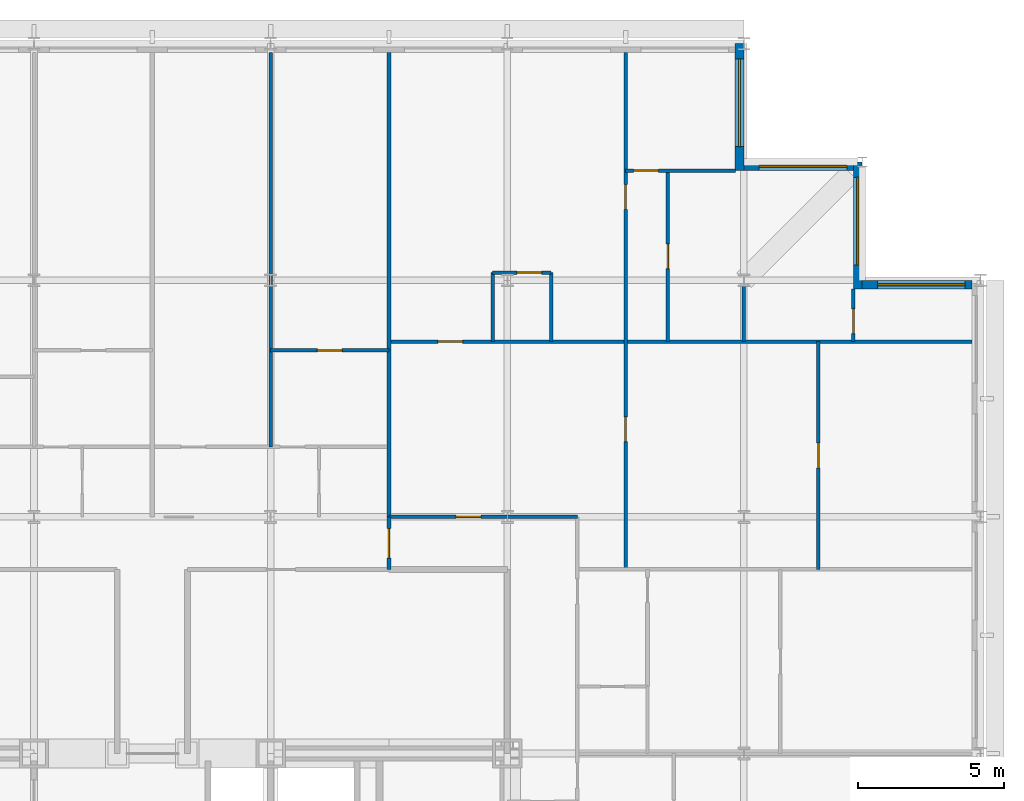
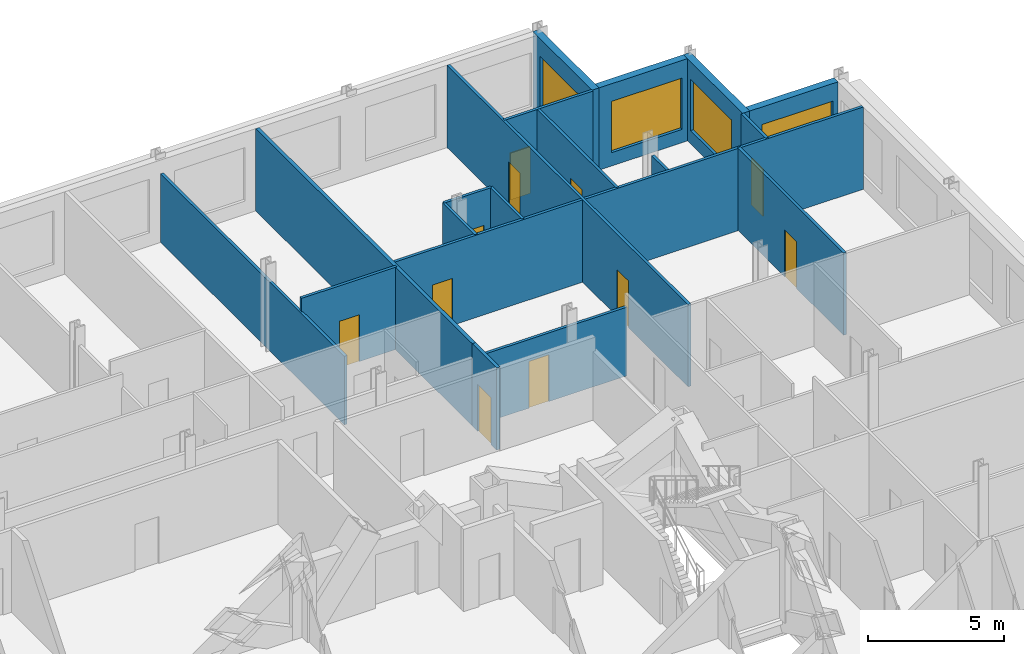
# One storey, part 13 of 15: 19 walls, 11 doors, 4 windows, 15 openings.
"""IFC4 building model written with IfcOpenShell, lengths in metres."""

from ifc_helpers import new_model, si_unit, direction, frame, frame_2d, origin, place, context, subcontext, project, spatial, rectangle, extrude, material, layer, layer_set, type_object, element, fill, save


model = new_model("IFC4")

# Units and contexts
model_context = context("Model", 3, precision=1e-05, world=origin(), true_north=direction((0.0, 1.0)))
body_context = subcontext(model_context, "Body", "Model", "MODEL_VIEW")
ifc_project = project(units=[si_unit("LENGTHUNIT", "METRE"), si_unit("AREAUNIT", "SQUARE_METRE"), si_unit("VOLUMEUNIT", "CUBIC_METRE"), si_unit("PLANEANGLEUNIT", "RADIAN"), si_unit("MASSUNIT", "GRAM", prefix="KILO")], contexts=[model_context])

# Site, building, storey
site_placement = place(None, origin())
site = spatial("IfcSite", under=ifc_project, at=site_placement, CompositionType="ELEMENT")
building_placement = place(site_placement, origin())
building = spatial("IfcBuilding", under=site, at=building_placement, Name="Kopane Lantern Tower", CompositionType="ELEMENT")
storey_placement = place(building_placement, frame((0.0, 0.0, 289.199951171875)))
storey = spatial("IfcBuildingStorey", under=building, at=storey_placement, Name="L74", CompositionType="ELEMENT", Elevation=289.199951171875)

# Wall
ifc_material_1 = material(Name="Gypsum board on steel studs", Category="steel")
ifc_layer_1 = layer(ifc_material_1, 0.1201171875)
ifc_layer_set_1 = layer_set([ifc_layer_1], Name="APARTMENT INTERNAL WALL 120")
wall_type_1 = type_object("IfcWallType", Name="APARTMENT INTERNAL WALL 120", PredefinedType="PARTITIONING", material=ifc_layer_set_1)
wall_1_placement = place(storey_placement, frame((32.39990234375, 51.0, 0.0), z_axis=(0.0, 0.0, 1.0), x_axis=(0.0, 1.0, 0.0)))
element("IfcWall", 1, at=wall_1_placement, inside=storey, type_object=wall_type_1, Name="Apartment Internal Wall 120 L74", PredefinedType="PARTITIONING", context=body_context, shape_type="SweptSolid", body=[
    extrude(rectangle(XDim=13.5, YDim=0.1201171875, at=frame_2d((6.75, 0.0))), origin(), (0.0, 0.0, 1.0), 3.077880859375),
])

# Wall, opening, door
wall_2_placement = place(storey_placement, frame((36.449951171875, 48.60009765625, 0.0), z_axis=(0.0, 0.0, 1.0), x_axis=(1.0, 0.0, 0.0)))
wall_2 = element("IfcWall", 2, at=wall_2_placement, inside=storey, type_object=wall_type_1, Name="Apartment Internal Wall 120 L74", PredefinedType="PARTITIONING", context=body_context, shape_type="SweptSolid", body=[
    extrude(rectangle(XDim=6.449951171875, YDim=0.1201171875, at=frame_2d((3.22509765625, 0.0))), origin(), (0.0, 0.0, 1.0), 3.077880859375),
])
opening_1_placement = place(wall_2_placement, frame((2.300048828125, 0.0, 0.0)))
opening_1 = element("IfcOpeningElement", 3, at=opening_1_placement, cuts=wall_2, Name="Opening L74-047", PredefinedType="OPENING", context=body_context, shape_type="SweptSolid", body=[
    extrude(rectangle(XDim=0.85009765625, YDim=2.10009765625, at=frame_2d((0.425048828125, 1.050048828125))), frame((0.0, 0.070068359375, 0.0), z_axis=(0.0, -1.0, 0.0), x_axis=(1.0, 0.0, 0.0)), (0.0, 0.0, 1.0), 0.14013671875),
])
ifc_material_2 = material(Name="Timber door set", Category="wood")
door_type_1 = type_object("IfcDoorType", Name="DOOR D4 850x2100", OperationType="SINGLE_SWING_LEFT", PredefinedType="DOOR", material=ifc_material_2)
door_1_placement = place(opening_1_placement, origin())
door_1 = element("IfcDoor", 4, at=door_1_placement, inside=storey, type_object=door_type_1, Name="Door L74-047", OperationType="SINGLE_SWING_LEFT", OverallHeight=2.10009765625, OverallWidth=0.85009765625, PredefinedType="DOOR", context=body_context, shape_type="SweptSolid", body=[
    extrude(rectangle(XDim=0.85009765625, YDim=2.10009765625, at=frame_2d((0.425048828125, 1.050048828125))), frame((0.0, 0.02490234375, 0.0), z_axis=(0.0, -1.0, 0.0), x_axis=(1.0, 0.0, 0.0)), (0.0, 0.0, 1.0), 0.050048828125),
])
fill(opening_1, door_1)

wall_3_placement = place(storey_placement, frame((36.449951171875, 54.60009765625, 0.0), z_axis=(0.0, 0.0, 1.0), x_axis=(1.0, 0.0, 0.0)))
wall_3 = element("IfcWall", 5, at=wall_3_placement, inside=storey, type_object=wall_type_1, Name="Apartment Internal Wall 120 L74", PredefinedType="PARTITIONING", context=body_context, shape_type="SweptSolid", body=[
    extrude(rectangle(XDim=19.949951171875, YDim=0.1201171875, at=frame_2d((9.97509765625, 0.0))), origin(), (0.0, 0.0, 1.0), 3.68994140625),
])
opening_2_placement = place(wall_3_placement, frame((1.675048828125, 0.0, 0.0)))
opening_2 = element("IfcOpeningElement", 6, at=opening_2_placement, cuts=wall_3, Name="Opening L74-048", PredefinedType="OPENING", context=body_context, shape_type="SweptSolid", body=[
    extrude(rectangle(XDim=0.85009765625, YDim=2.10009765625, at=frame_2d((0.425048828125, 1.050048828125))), frame((0.0, 0.070068359375, 0.0), z_axis=(0.0, -1.0, 0.0), x_axis=(1.0, 0.0, 0.0)), (0.0, 0.0, 1.0), 0.14013671875),
])
door_2_placement = place(opening_2_placement, origin())
door_2 = element("IfcDoor", 7, at=door_2_placement, inside=storey, type_object=door_type_1, Name="Door L74-048", OperationType="SINGLE_SWING_LEFT", OverallHeight=2.10009765625, OverallWidth=0.85009765625, PredefinedType="DOOR", context=body_context, shape_type="SweptSolid", body=[
    extrude(rectangle(XDim=0.85009765625, YDim=2.10009765625, at=frame_2d((0.425048828125, 1.050048828125))), frame((0.0, 0.02490234375, 0.0), z_axis=(0.0, -1.0, 0.0), x_axis=(1.0, 0.0, 0.0)), (0.0, 0.0, 1.0), 0.050048828125),
])
fill(opening_2, door_2)

# Wall, openings, doors
wall_4_placement = place(storey_placement, frame((44.550048828125, 64.5, 0.0), z_axis=(0.0, 0.0, 1.0), x_axis=(0.0, -1.0, 0.0)))
wall_4 = element("IfcWall", 8, at=wall_4_placement, inside=storey, type_object=wall_type_1, Name="Apartment Internal Wall 120 L74", PredefinedType="PARTITIONING", context=body_context, shape_type="SweptSolid", body=[
    extrude(rectangle(XDim=17.699951171875, YDim=0.1201171875, at=frame_2d((8.85009765625, 0.0))), origin(), (0.0, 0.0, 1.0), 3.68994140625),
])
opening_3_placement = place(wall_4_placement, frame((12.47509765625, 0.0, 0.0)))
opening_3 = element("IfcOpeningElement", 9, at=opening_3_placement, cuts=wall_4, Name="Opening L74-049", PredefinedType="OPENING", context=body_context, shape_type="SweptSolid", body=[
    extrude(rectangle(XDim=0.85009765625, YDim=2.10009765625, at=frame_2d((0.425048828125, 1.050048828125))), frame((0.0, 0.070068359375, 0.0), z_axis=(0.0, -1.0, 0.0), x_axis=(1.0, 0.0, 0.0)), (0.0, 0.0, 1.0), 0.14013671875),
])
opening_4_placement = place(wall_4_placement, frame((4.52490234375, 0.0, 0.0)))
opening_4 = element("IfcOpeningElement", 10, at=opening_4_placement, cuts=wall_4, Name="Opening L74-050", PredefinedType="OPENING", context=body_context, shape_type="SweptSolid", body=[
    extrude(rectangle(XDim=0.85009765625, YDim=2.10009765625, at=frame_2d((0.425048828125, 1.050048828125))), frame((0.0, 0.070068359375, 0.0), z_axis=(0.0, -1.0, 0.0), x_axis=(1.0, 0.0, 0.0)), (0.0, 0.0, 1.0), 0.14013671875),
])
door_3_placement = place(opening_3_placement, origin())
door_3 = element("IfcDoor", 11, at=door_3_placement, inside=storey, type_object=door_type_1, Name="Door L74-049", OperationType="SINGLE_SWING_LEFT", OverallHeight=2.10009765625, OverallWidth=0.85009765625, PredefinedType="DOOR", context=body_context, shape_type="SweptSolid", body=[
    extrude(rectangle(XDim=0.85009765625, YDim=2.10009765625, at=frame_2d((0.425048828125, 1.050048828125))), frame((0.0, 0.02490234375, 0.0), z_axis=(0.0, -1.0, 0.0), x_axis=(1.0, 0.0, 0.0)), (0.0, 0.0, 1.0), 0.050048828125),
])
fill(opening_3, door_3)
door_4_placement = place(opening_4_placement, origin())
door_4 = element("IfcDoor", 12, at=door_4_placement, inside=storey, type_object=door_type_1, Name="Door L74-050", OperationType="SINGLE_SWING_LEFT", OverallHeight=2.10009765625, OverallWidth=0.85009765625, PredefinedType="DOOR", context=body_context, shape_type="SweptSolid", body=[
    extrude(rectangle(XDim=0.85009765625, YDim=2.10009765625, at=frame_2d((0.425048828125, 1.050048828125))), frame((0.0, 0.02490234375, 0.0), z_axis=(0.0, -1.0, 0.0), x_axis=(1.0, 0.0, 0.0)), (0.0, 0.0, 1.0), 0.050048828125),
])
fill(opening_4, door_4)

# Wall, opening, door
wall_5_placement = place(storey_placement, frame((52.35009765625, 54.60009765625, 0.0), z_axis=(0.0, 0.0, 1.0), x_axis=(0.0, 1.0, 0.0)))
wall_5 = element("IfcWall", 13, at=wall_5_placement, inside=storey, type_object=wall_type_1, Name="Apartment Internal Wall 120 L74", PredefinedType="PARTITIONING", context=body_context, shape_type="SweptSolid", body=[
    extrude(rectangle(XDim=1.7998046875, YDim=0.1201171875, at=frame_2d((0.89990234375, 0.0))), origin(), (0.0, 0.0, 1.0), 3.68994140625),
])
opening_5_placement = place(wall_5_placement, frame((0.27490234375, 0.0, 0.0)))
opening_5 = element("IfcOpeningElement", 14, at=opening_5_placement, cuts=wall_5, Name="Opening L74-057", PredefinedType="OPENING", context=body_context, shape_type="SweptSolid", body=[
    extrude(rectangle(XDim=0.85009765625, YDim=2.10009765625, at=frame_2d((0.425048828125, 1.050048828125))), frame((0.0, 0.070068359375, 0.0), z_axis=(0.0, -1.0, 0.0), x_axis=(1.0, 0.0, 0.0)), (0.0, 0.0, 1.0), 0.14013671875),
])
door_5_placement = place(opening_5_placement, origin())
door_5 = element("IfcDoor", 15, at=door_5_placement, inside=storey, type_object=door_type_1, Name="Door L74-057", OperationType="SINGLE_SWING_RIGHT", OverallHeight=2.10009765625, OverallWidth=0.85009765625, PredefinedType="DOOR", context=body_context, shape_type="SweptSolid", body=[
    extrude(rectangle(XDim=0.85009765625, YDim=2.10009765625, at=frame_2d((0.425048828125, 1.050048828125))), frame((0.0, 0.02490234375, 0.0), z_axis=(0.0, -1.0, 0.0), x_axis=(1.0, 0.0, 0.0)), (0.0, 0.0, 1.0), 0.050048828125),
])
fill(opening_5, door_5)

wall_6_placement = place(storey_placement, frame((48.31005859375, 60.449951171875, 0.0), z_axis=(0.0, 0.0, 1.0), x_axis=(-1.0, 0.0, 0.0)))
wall_6 = element("IfcWall", 16, at=wall_6_placement, inside=storey, type_object=wall_type_1, Name="Apartment Internal Wall 120 L74", PredefinedType="PARTITIONING", context=body_context, shape_type="SweptSolid", body=[
    extrude(rectangle(XDim=3.760009765625, YDim=0.1201171875, at=frame_2d((1.8798828125, 0.0))), origin(), (0.0, 0.0, 1.0), 3.68994140625),
])
opening_6_placement = place(wall_6_placement, frame((2.635009765625, 0.0, 0.0)))
opening_6 = element("IfcOpeningElement", 17, at=opening_6_placement, cuts=wall_6, Name="Opening L74-058", PredefinedType="OPENING", context=body_context, shape_type="SweptSolid", body=[
    extrude(rectangle(XDim=0.85009765625, YDim=2.10009765625, at=frame_2d((0.425048828125, 1.050048828125))), frame((0.0, 0.070068359375, 0.0), z_axis=(0.0, -1.0, 0.0), x_axis=(1.0, 0.0, 0.0)), (0.0, 0.0, 1.0), 0.14013671875),
])
door_6_placement = place(opening_6_placement, origin())
door_6 = element("IfcDoor", 18, at=door_6_placement, inside=storey, type_object=door_type_1, Name="Door L74-058", OperationType="SINGLE_SWING_LEFT", OverallHeight=2.10009765625, OverallWidth=0.85009765625, PredefinedType="DOOR", context=body_context, shape_type="SweptSolid", body=[
    extrude(rectangle(XDim=0.85009765625, YDim=2.10009765625, at=frame_2d((0.425048828125, 1.050048828125))), frame((0.0, 0.02490234375, 0.0), z_axis=(0.0, -1.0, 0.0), x_axis=(1.0, 0.0, 0.0)), (0.0, 0.0, 1.0), 0.050048828125),
])
fill(opening_6, door_6)

wall_7_placement = place(storey_placement, frame((32.39990234375, 54.300048828125, 0.0), z_axis=(0.0, 0.0, 1.0), x_axis=(1.0, 0.0, 0.0)))
wall_7 = element("IfcWall", 19, at=wall_7_placement, inside=storey, type_object=wall_type_1, Name="Apartment Internal Wall 120 L74", PredefinedType="PARTITIONING", context=body_context, shape_type="SweptSolid", body=[
    extrude(rectangle(XDim=4.050048828125, YDim=0.1201171875, at=frame_2d((2.02490234375, 0.0))), origin(), (0.0, 0.0, 1.0), 3.68994140625),
])
opening_7_placement = place(wall_7_placement, frame((1.60009765625, 0.0, 0.0)))
opening_7 = element("IfcOpeningElement", 20, at=opening_7_placement, cuts=wall_7, Name="Opening L74-062", PredefinedType="OPENING", context=body_context, shape_type="SweptSolid", body=[
    extrude(rectangle(XDim=0.85009765625, YDim=2.10009765625, at=frame_2d((0.425048828125, 1.050048828125))), frame((0.0, 0.070068359375, 0.0), z_axis=(0.0, -1.0, 0.0), x_axis=(1.0, 0.0, 0.0)), (0.0, 0.0, 1.0), 0.14013671875),
])
door_7_placement = place(opening_7_placement, origin())
door_7 = element("IfcDoor", 21, at=door_7_placement, inside=storey, type_object=door_type_1, Name="Door L74-062", OperationType="SINGLE_SWING_RIGHT", OverallHeight=2.10009765625, OverallWidth=0.85009765625, PredefinedType="DOOR", context=body_context, shape_type="SweptSolid", body=[
    extrude(rectangle(XDim=0.85009765625, YDim=2.10009765625, at=frame_2d((0.425048828125, 1.050048828125))), frame((0.0, 0.02490234375, 0.0), z_axis=(0.0, -1.0, 0.0), x_axis=(1.0, 0.0, 0.0)), (0.0, 0.0, 1.0), 0.050048828125),
])
fill(opening_7, door_7)

wall_8_placement = place(storey_placement, frame((51.14990234375, 46.800048828125, 0.0), z_axis=(0.0, 0.0, 1.0), x_axis=(0.0, 1.0, 0.0)))
wall_8 = element("IfcWall", 22, at=wall_8_placement, inside=storey, type_object=wall_type_1, Name="Apartment Internal Wall 120 L74", PredefinedType="PARTITIONING", context=body_context, shape_type="SweptSolid", body=[
    extrude(rectangle(XDim=7.800048828125, YDim=0.1201171875, at=frame_2d((3.89990234375, 0.0))), origin(), (0.0, 0.0, 1.0), 3.68994140625),
])
opening_8_placement = place(wall_8_placement, frame((3.47509765625, 0.0, 0.0)))
opening_8 = element("IfcOpeningElement", 23, at=opening_8_placement, cuts=wall_8, Name="Opening L74-069", PredefinedType="OPENING", context=body_context, shape_type="SweptSolid", body=[
    extrude(rectangle(XDim=0.85009765625, YDim=2.10009765625, at=frame_2d((0.425048828125, 1.050048828125))), frame((0.0, 0.070068359375, 0.0), z_axis=(0.0, -1.0, 0.0), x_axis=(1.0, 0.0, 0.0)), (0.0, 0.0, 1.0), 0.14013671875),
])
door_8_placement = place(opening_8_placement, origin())
door_8 = element("IfcDoor", 24, at=door_8_placement, inside=storey, type_object=door_type_1, Name="Door L74-069", OperationType="SINGLE_SWING_RIGHT", OverallHeight=2.10009765625, OverallWidth=0.85009765625, PredefinedType="DOOR", context=body_context, shape_type="SweptSolid", body=[
    extrude(rectangle(XDim=0.85009765625, YDim=2.10009765625, at=frame_2d((0.425048828125, 1.050048828125))), frame((0.0, 0.02490234375, 0.0), z_axis=(0.0, -1.0, 0.0), x_axis=(1.0, 0.0, 0.0)), (0.0, 0.0, 1.0), 0.050048828125),
])
fill(opening_8, door_8)

wall_9_placement = place(storey_placement, frame((46.0, 54.60009765625, 0.0), z_axis=(0.0, 0.0, 1.0), x_axis=(0.0, 1.0, 0.0)))
wall_9 = element("IfcWall", 25, at=wall_9_placement, inside=storey, type_object=wall_type_1, Name="Apartment Internal Wall 120 L74", PredefinedType="PARTITIONING", context=body_context, shape_type="SweptSolid", body=[
    extrude(rectangle(XDim=5.849853515625, YDim=0.1201171875, at=frame_2d((2.9248046875, 0.0))), origin(), (0.0, 0.0, 1.0), 3.68994140625),
])
opening_9_placement = place(wall_9_placement, frame((2.5, 0.0, 0.0)))
opening_9 = element("IfcOpeningElement", 26, at=opening_9_placement, cuts=wall_9, Name="Opening L74-070", PredefinedType="OPENING", context=body_context, shape_type="SweptSolid", body=[
    extrude(rectangle(XDim=0.85009765625, YDim=2.10009765625, at=frame_2d((0.425048828125, 1.050048828125))), frame((0.0, 0.070068359375, 0.0), z_axis=(0.0, -1.0, 0.0), x_axis=(1.0, 0.0, 0.0)), (0.0, 0.0, 1.0), 0.14013671875),
])
door_9_placement = place(opening_9_placement, origin())
door_9 = element("IfcDoor", 27, at=door_9_placement, inside=storey, type_object=door_type_1, Name="Door L74-070", OperationType="SINGLE_SWING_LEFT", OverallHeight=2.10009765625, OverallWidth=0.85009765625, PredefinedType="DOOR", context=body_context, shape_type="SweptSolid", body=[
    extrude(rectangle(XDim=0.85009765625, YDim=2.10009765625, at=frame_2d((0.425048828125, 1.050048828125))), frame((0.0, 0.02490234375, 0.0), z_axis=(0.0, -1.0, 0.0), x_axis=(1.0, 0.0, 0.0)), (0.0, 0.0, 1.0), 0.050048828125),
])
fill(opening_9, door_9)

# Walls
for number, where, z_axis, x_axis, name in (
    (28, (39.9970703125, 54.60009765625, 0.0), (0.0, 0.0, 1.0), (0.0, 1.0, 0.0), "Apartment Internal Wall 120 L74"),
    (29, (42.0029296875, 54.60009765625, 0.0), (0.0, 0.0, 1.0), (0.0, 1.0, 0.0), "Apartment Internal Wall 120 L74"),
):
    element("IfcWall", number, at=place(storey_placement, frame(where, z_axis=z_axis, x_axis=x_axis)), inside=storey, type_object=wall_type_1, Name=name, PredefinedType="PARTITIONING", context=body_context, shape_type="SweptSolid", body=[
        extrude(rectangle(XDim=2.36279296875, YDim=0.1201171875, at=frame_2d((1.181396484375, 0.0))), origin(), (0.0, 0.0, 1.0), 3.68994140625),
    ])

# Wall, opening, door
wall_10_placement = place(storey_placement, frame((39.9970703125, 56.962890625, 0.0), z_axis=(0.0, 0.0, 1.0), x_axis=(1.0, 0.0, 0.0)))
wall_10 = element("IfcWall", 30, at=wall_10_placement, inside=storey, type_object=wall_type_1, Name="Apartment Internal Wall 120 L74", PredefinedType="PARTITIONING", context=body_context, shape_type="SweptSolid", body=[
    extrude(rectangle(XDim=2.005859375, YDim=0.1201171875, at=frame_2d((1.0029296875, 0.0))), origin(), (0.0, 0.0, 1.0), 3.68994140625),
])
opening_10_placement = place(wall_10_placement, frame((0.8310546875, 0.0, 0.0)))
opening_10 = element("IfcOpeningElement", 31, at=opening_10_placement, cuts=wall_10, Name="Opening L74-073", PredefinedType="OPENING", context=body_context, shape_type="SweptSolid", body=[
    extrude(rectangle(XDim=0.85009765625, YDim=2.10009765625, at=frame_2d((0.425048828125, 1.050048828125))), frame((0.0, 0.070068359375, 0.0), z_axis=(0.0, -1.0, 0.0), x_axis=(1.0, 0.0, 0.0)), (0.0, 0.0, 1.0), 0.14013671875),
])
door_10_placement = place(opening_10_placement, origin())
door_10 = element("IfcDoor", 32, at=door_10_placement, inside=storey, type_object=door_type_1, Name="Door L74-073", OperationType="SINGLE_SWING_LEFT", OverallHeight=2.10009765625, OverallWidth=0.85009765625, PredefinedType="DOOR", context=body_context, shape_type="SweptSolid", body=[
    extrude(rectangle(XDim=0.85009765625, YDim=2.10009765625, at=frame_2d((0.425048828125, 1.050048828125))), frame((0.0, 0.02490234375, 0.0), z_axis=(0.0, -1.0, 0.0), x_axis=(1.0, 0.0, 0.0)), (0.0, 0.0, 1.0), 0.050048828125),
])
fill(opening_10, door_10)

# Wall
wall_11_placement = place(storey_placement, frame((48.60009765625, 54.60009765625, 0.0), z_axis=(0.0, 0.0, 1.0), x_axis=(0.0, 1.0, 0.0)))
element("IfcWall", 33, at=wall_11_placement, inside=storey, type_object=wall_type_1, Name="Apartment Internal Wall 120 L74", PredefinedType="PARTITIONING", context=body_context, shape_type="SweptSolid", body=[
    extrude(rectangle(XDim=1.89697265625, YDim=0.1201171875, at=frame_2d((0.948486328125, 0.0))), origin(), (0.0, 0.0, 1.0), 3.077880859375),
])

# Wall, opening, door
ifc_material_3 = material(Name="Gypsum board on steel studs", Category="steel")
ifc_layer_2 = layer(ifc_material_3, 0.14990234375)
ifc_layer_set_2 = layer_set([ifc_layer_2], Name="CORRIDOR WALL 150 EI 60")
wall_type_2 = type_object("IfcWallType", Name="CORRIDOR WALL 150 EI 60", PredefinedType="PARTITIONING", material=ifc_layer_set_2)
wall_12_placement = place(storey_placement, frame((36.449951171875, 46.800048828125, 0.0), z_axis=(0.0, 0.0, 1.0), x_axis=(0.0, 1.0, 0.0)))
wall_12 = element("IfcWall", 34, at=wall_12_placement, inside=storey, type_object=wall_type_2, Name="Corridor Wall 150 Ei 60 L74", PredefinedType="PARTITIONING", context=body_context, shape_type="SweptSolid", body=[
    extrude(rectangle(XDim=1.800048828125, YDim=0.14990234375, at=frame_2d((0.89990234375, 0.0))), origin(), (0.0, 0.0, 1.0), 3.68994140625),
])
opening_11_placement = place(wall_12_placement, frame((0.39990234375, 0.0, 0.0)))
opening_11 = element("IfcOpeningElement", 35, at=opening_11_placement, cuts=wall_12, Name="Opening L74-045", PredefinedType="OPENING", context=body_context, shape_type="SweptSolid", body=[
    extrude(rectangle(XDim=1.0, YDim=2.10009765625, at=frame_2d((0.5, 1.050048828125))), frame((0.0, 0.0849609375, 0.0), z_axis=(0.0, -1.0, 0.0), x_axis=(1.0, 0.0, 0.0)), (0.0, 0.0, 1.0), 0.169921875),
])
ifc_material_4 = material(Name="Steel door set", Category="steel")
door_type_2 = type_object("IfcDoorType", Name="DOOR D3 1000x2100 FD30S", OperationType="SINGLE_SWING_LEFT", PredefinedType="DOOR", material=ifc_material_4)
door_11_placement = place(opening_11_placement, origin())
door_11 = element("IfcDoor", 36, at=door_11_placement, inside=storey, type_object=door_type_2, Name="Door L74-045", OperationType="SINGLE_SWING_RIGHT", OverallHeight=2.10009765625, OverallWidth=1.0, PredefinedType="DOOR", context=body_context, shape_type="SweptSolid", body=[
    extrude(rectangle(XDim=1.0, YDim=2.10009765625, at=frame_2d((0.5, 1.050048828125))), frame((0.0, 0.02490234375, 0.0), z_axis=(0.0, -1.0, 0.0), x_axis=(1.0, 0.0, 0.0)), (0.0, 0.0, 1.0), 0.050048828125),
])
fill(opening_11, door_11)

# Wall
ifc_material_5 = material(Name="Gypsum board on steel studs", Category="steel")
ifc_layer_3 = layer(ifc_material_5, 0.14990234375)
ifc_layer_set_3 = layer_set([ifc_layer_3], Name="DEMISING WALL 150 EI 60")
wall_type_3 = type_object("IfcWallType", Name="DEMISING WALL 150 EI 60", PredefinedType="PARTITIONING", material=ifc_layer_set_3)
wall_13_placement = place(storey_placement, frame((36.449951171875, 64.5, 0.0), z_axis=(0.0, 0.0, 1.0), x_axis=(0.0, -1.0, 0.0)))
element("IfcWall", 37, at=wall_13_placement, inside=storey, type_object=wall_type_3, Name="Demising Wall 150 Ei 60 L74", PredefinedType="PARTITIONING", context=body_context, shape_type="SweptSolid", body=[
    extrude(rectangle(XDim=15.89990234375, YDim=0.14990234375, at=frame_2d((7.949951171875, 0.0))), origin(), (0.0, 0.0, 1.0), 3.68994140625),
])

# Wall, opening, window
ifc_material_6 = material(Name="Terracotta rainscreen on light steel framing", Category="masonry")
ifc_layer_4 = layer(ifc_material_6, 0.300048828125)
ifc_layer_set_4 = layer_set([ifc_layer_4], Name="EXTERNAL WALL EW1 300 TERRACOTTA")
wall_type_4 = type_object("IfcWallType", Name="EXTERNAL WALL EW1 300 TERRACOTTA", PredefinedType="SOLIDWALL", material=ifc_layer_set_4)
wall_14_placement = place(storey_placement, frame((56.39990234375, 56.550048828125, 0.0), z_axis=(0.0, 0.0, 1.0), x_axis=(-1.0, 0.0, 0.0)))
wall_14 = element("IfcWall", 38, at=wall_14_placement, inside=storey, type_object=wall_type_4, Name="External wall N L74", PredefinedType="SOLIDWALL", context=body_context, shape_type="SweptSolid", body=[
    extrude(rectangle(XDim=3.75, YDim=0.300048828125, at=frame_2d((1.875, 0.0))), origin(), (0.0, 0.0, 1.0), 3.68994140625),
])
opening_12_placement = place(wall_14_placement, frame((0.22509765625, 0.0, 0.60009765625)))
opening_12 = element("IfcOpeningElement", 39, at=opening_12_placement, cuts=wall_14, Name="Opening WR300230", PredefinedType="OPENING", context=body_context, shape_type="SweptSolid", body=[
    extrude(rectangle(XDim=3.0, YDim=2.300048828125, at=frame_2d((1.5, 1.14990234375))), frame((0.0, 0.159912109375, 0.0), z_axis=(0.0, -1.0, 0.0), x_axis=(1.0, 0.0, 0.0)), (0.0, 0.0, 1.0), 0.320068359375),
])
ifc_material_7 = material(Name="Aluminium and clear glass", Category="aluminium")
window_type = type_object("IfcWindowType", Name="RIBBON WINDOW WR300230 3000x2300", PartitioningType="SINGLE_PANEL", PredefinedType="WINDOW", material=ifc_material_7)
window_1_placement = place(opening_12_placement, origin())
window_1 = element("IfcWindow", 40, at=window_1_placement, inside=storey, type_object=window_type, Name="Window N L74", OverallHeight=2.300048828125, OverallWidth=3.0, PartitioningType="SINGLE_PANEL", PredefinedType="WINDOW", context=body_context, shape_type="SweptSolid", body=[
    extrude(rectangle(XDim=3.0, YDim=2.300048828125, at=frame_2d((1.5, 1.14990234375))), frame((0.0, 0.030029296875, 0.0), z_axis=(0.0, -1.0, 0.0), x_axis=(1.0, 0.0, 0.0)), (0.0, 0.0, 1.0), 0.06005859375),
])
fill(opening_12, window_1)

wall_15_placement = place(storey_placement, frame((52.5, 56.39990234375, 0.0), z_axis=(0.0, 0.0, 1.0), x_axis=(0.0, 1.0, 0.0)))
wall_15 = element("IfcWall", 41, at=wall_15_placement, inside=storey, type_object=wall_type_4, Name="External wall E L74", PredefinedType="SOLIDWALL", context=body_context, shape_type="SweptSolid", body=[
    extrude(rectangle(XDim=4.35009765625, YDim=0.300048828125, at=frame_2d((2.175048828125, 0.0))), origin(), (0.0, 0.0, 1.0), 3.68994140625),
])
opening_13_placement = place(wall_15_placement, frame((0.824951171875, 0.0, 0.60009765625)))
opening_13 = element("IfcOpeningElement", 42, at=opening_13_placement, cuts=wall_15, Name="Opening WR300230", PredefinedType="OPENING", context=body_context, shape_type="SweptSolid", body=[
    extrude(rectangle(XDim=3.0, YDim=2.300048828125, at=frame_2d((1.5, 1.14990234375))), frame((0.0, 0.159912109375, 0.0), z_axis=(0.0, -1.0, 0.0), x_axis=(1.0, 0.0, 0.0)), (0.0, 0.0, 1.0), 0.320068359375),
])
window_2_placement = place(opening_13_placement, origin())
window_2 = element("IfcWindow", 43, at=window_2_placement, inside=storey, type_object=window_type, Name="Window E L74", OverallHeight=2.300048828125, OverallWidth=3.0, PartitioningType="SINGLE_PANEL", PredefinedType="WINDOW", context=body_context, shape_type="SweptSolid", body=[
    extrude(rectangle(XDim=3.0, YDim=2.300048828125, at=frame_2d((1.5, 1.14990234375))), frame((0.0, 0.030029296875, 0.0), z_axis=(0.0, -1.0, 0.0), x_axis=(1.0, 0.0, 0.0)), (0.0, 0.0, 1.0), 0.06005859375),
])
fill(opening_13, window_2)

wall_16_placement = place(storey_placement, frame((52.35009765625, 60.60009765625, 0.0), z_axis=(0.0, 0.0, 1.0), x_axis=(-1.0, 0.0, 0.0)))
wall_16 = element("IfcWall", 44, at=wall_16_placement, inside=storey, type_object=wall_type_4, Name="External wall N L74", PredefinedType="SOLIDWALL", context=body_context, shape_type="SweptSolid", body=[
    extrude(rectangle(XDim=3.75, YDim=0.300048828125, at=frame_2d((1.875, 0.0))), origin(), (0.0, 0.0, 1.0), 3.68994140625),
])
opening_14_placement = place(wall_16_placement, frame((0.22509765625, 0.0, 0.60009765625)))
opening_14 = element("IfcOpeningElement", 45, at=opening_14_placement, cuts=wall_16, Name="Opening WR300230", PredefinedType="OPENING", context=body_context, shape_type="SweptSolid", body=[
    extrude(rectangle(XDim=3.0, YDim=2.300048828125, at=frame_2d((1.5, 1.14990234375))), frame((0.0, 0.159912109375, 0.0), z_axis=(0.0, -1.0, 0.0), x_axis=(1.0, 0.0, 0.0)), (0.0, 0.0, 1.0), 0.320068359375),
])
window_3_placement = place(opening_14_placement, origin())
window_3 = element("IfcWindow", 46, at=window_3_placement, inside=storey, type_object=window_type, Name="Window N L74", OverallHeight=2.300048828125, OverallWidth=3.0, PartitioningType="SINGLE_PANEL", PredefinedType="WINDOW", context=body_context, shape_type="SweptSolid", body=[
    extrude(rectangle(XDim=3.0, YDim=2.300048828125, at=frame_2d((1.5, 1.14990234375))), frame((0.0, 0.030029296875, 0.0), z_axis=(0.0, -1.0, 0.0), x_axis=(1.0, 0.0, 0.0)), (0.0, 0.0, 1.0), 0.06005859375),
])
fill(opening_14, window_3)

wall_17_placement = place(storey_placement, frame((48.449951171875, 60.449951171875, 0.0), z_axis=(0.0, 0.0, 1.0), x_axis=(0.0, 1.0, 0.0)))
wall_17 = element("IfcWall", 47, at=wall_17_placement, inside=storey, type_object=wall_type_4, Name="External wall E L74", PredefinedType="SOLIDWALL", context=body_context, shape_type="SweptSolid", body=[
    extrude(rectangle(XDim=4.35009765625, YDim=0.300048828125, at=frame_2d((2.175048828125, 0.0))), origin(), (0.0, 0.0, 1.0), 3.68994140625),
])
opening_15_placement = place(wall_17_placement, frame((0.824951171875, 0.0, 0.60009765625)))
opening_15 = element("IfcOpeningElement", 48, at=opening_15_placement, cuts=wall_17, Name="Opening WR300230", PredefinedType="OPENING", context=body_context, shape_type="SweptSolid", body=[
    extrude(rectangle(XDim=3.0, YDim=2.300048828125, at=frame_2d((1.5, 1.14990234375))), frame((0.0, 0.159912109375, 0.0), z_axis=(0.0, -1.0, 0.0), x_axis=(1.0, 0.0, 0.0)), (0.0, 0.0, 1.0), 0.320068359375),
])
window_4_placement = place(opening_15_placement, origin())
window_4 = element("IfcWindow", 49, at=window_4_placement, inside=storey, type_object=window_type, Name="Window E L74", OverallHeight=2.300048828125, OverallWidth=3.0, PartitioningType="SINGLE_PANEL", PredefinedType="WINDOW", context=body_context, shape_type="SweptSolid", body=[
    extrude(rectangle(XDim=3.0, YDim=2.300048828125, at=frame_2d((1.5, 1.14990234375))), frame((0.0, 0.030029296875, 0.0), z_axis=(0.0, -1.0, 0.0), x_axis=(1.0, 0.0, 0.0)), (0.0, 0.0, 1.0), 0.06005859375),
])
fill(opening_15, window_4)

save(model, "model.ifc")
